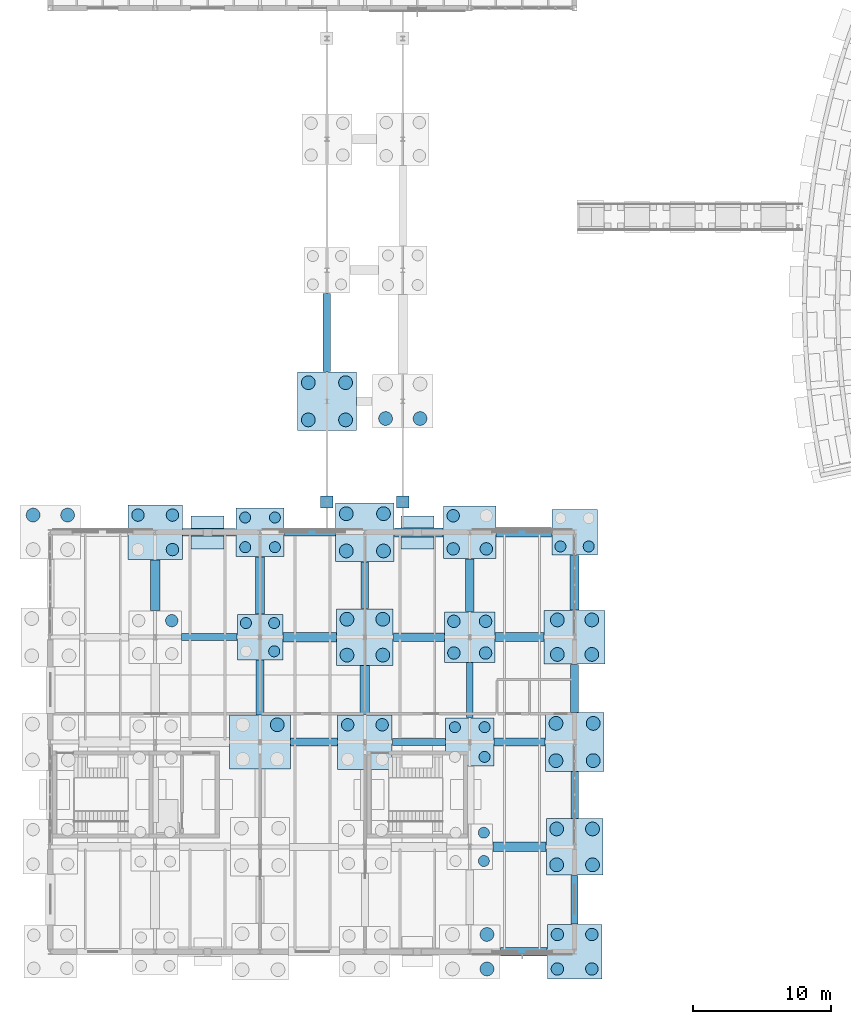
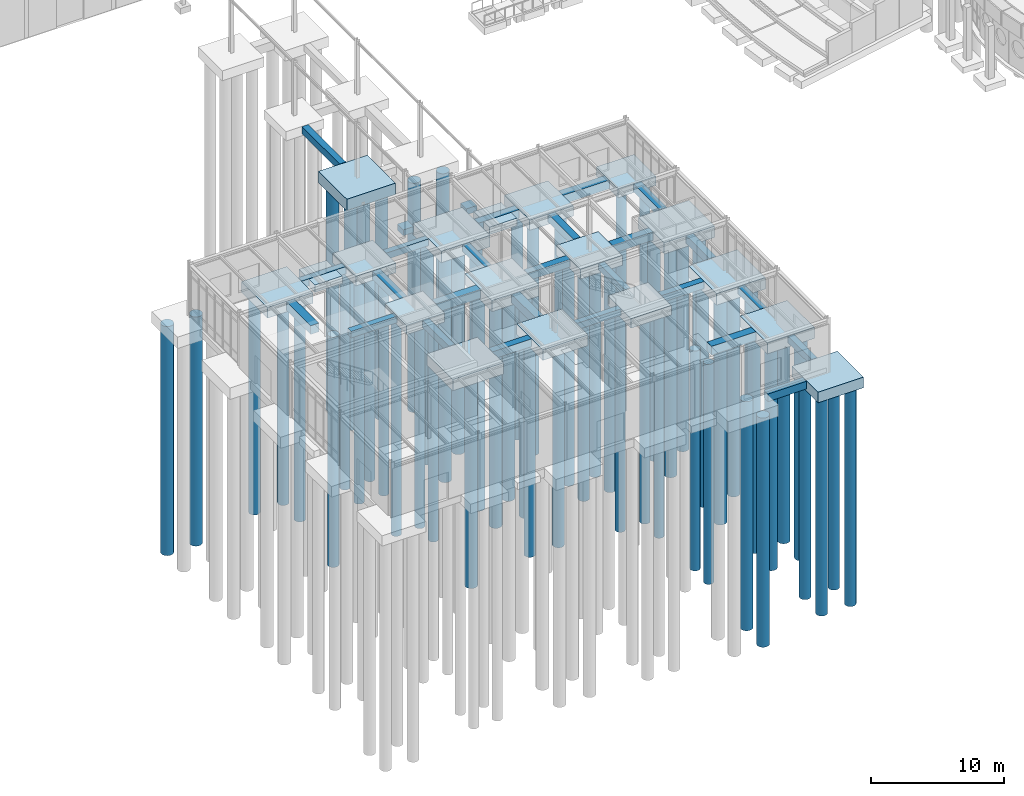
# One storey, part 2 of 109: 62 piles, 45 footings.
"""IFC4 building model written with IfcOpenShell, lengths in metres."""

from ifc_helpers import new_model, si_unit, direction, frame, origin, origin_2d, place, context, subcontext, project, spatial, rectangle, circle, extrude, material, material_profile, profile_set, type_object, element, save


model = new_model("IFC4")

# Units and contexts
model_context = context("Model", 3, precision=1e-05, world=origin(), true_north=direction((0.0, 1.0)))
body_context = subcontext(model_context, "Body", "Model", "MODEL_VIEW")
ifc_project = project(units=[si_unit("LENGTHUNIT", "METRE"), si_unit("AREAUNIT", "SQUARE_METRE"), si_unit("VOLUMEUNIT", "CUBIC_METRE"), si_unit("PLANEANGLEUNIT", "RADIAN"), si_unit("MASSUNIT", "GRAM", prefix="KILO")], contexts=[model_context])

# Site, building, storey
site_placement = place(None, origin())
site = spatial("IfcSite", under=ifc_project, at=site_placement, CompositionType="ELEMENT")
building_placement = place(site_placement, origin())
building = spatial("IfcBuilding", under=site, at=building_placement, Name="Montecoro Central Library", CompositionType="ELEMENT")
storey_placement = place(building_placement, origin())
storey = spatial("IfcBuildingStorey", under=building, at=storey_placement, Name="L00", CompositionType="ELEMENT", Elevation=0.0)

# Footings
ifc_material = material(Name="Concrete C35/45", Category="concrete")
footing_type_1 = type_object("IfcFootingType", Name="FT-PAD-180", PredefinedType="PAD_FOOTING", material=ifc_material)
for number, where, z_axis, x_axis, name in (
    (1, (25.050048828125, 37.60009765625, -0.5498046875), (0.0, 0.0, 1.0), (1.0, 0.0, 0.0), "BR-W-PAD-250-376"),
    (2, (30.550048828125, 37.60009765625, -0.5498046875), (0.0, 0.0, 1.0), (1.0, 0.0, 0.0), "BR-W-PAD-305-376"),
):
    element("IfcFooting", number, at=place(storey_placement, frame(where, z_axis=z_axis, x_axis=x_axis)), inside=storey, type_object=footing_type_1, Name=name, PredefinedType="PAD_FOOTING", context=body_context, shape_type="SweptSolid", body=[
        extrude(rectangle(XDim=0.89990234375, YDim=0.89990234375, at=origin_2d()), origin(), (0.0, 0.0, 1.0), 0.550048828125),
    ])
footing_type_2 = type_object("IfcFootingType", Name="FT-PAD-240", PredefinedType="PAD_FOOTING", material=ifc_material)
for number, where, z_axis, x_axis, name in (
    (3, (16.39990234375, 35.39990234375, -0.68017578125), (0.0, 0.0, 1.0), (1.0, 0.0, 0.0), "V3-PAD-PIL-N1"),
    (4, (31.60009765625, 35.39990234375, -0.68017578125), (0.0, 0.0, 1.0), (1.0, 0.0, 0.0), "V3-PAD-PIL-N3"),
):
    element("IfcFooting", number, at=place(storey_placement, frame(where, z_axis=z_axis, x_axis=x_axis)), inside=storey, type_object=footing_type_2, Name=name, PredefinedType="PAD_FOOTING", context=body_context, shape_type="SweptSolid", body=[
        extrude(rectangle(XDim=2.39990234375, YDim=2.39990234375, at=origin_2d()), origin(), (0.0, 0.0, 1.0), 0.679931640625),
    ])
footing_type_3 = type_object("IfcFootingType", Name="FT-PC-330", PredefinedType="PILE_CAP", material=ifc_material)
for number, where, z_axis, x_axis, name in (
    (5, (20.199951171875, 27.800048828125, -0.85009765625), (0.0, 0.0, 1.0), (1.0, 0.0, 0.0), "V3-CAP-3-D"),
    (6, (43.0, 35.39990234375, -0.85009765625), (0.0, 0.0, 1.0), (1.0, 0.0, 0.0), "V3-CAP-6-E"),
):
    element("IfcFooting", number, at=place(storey_placement, frame(where, z_axis=z_axis, x_axis=x_axis)), inside=storey, type_object=footing_type_3, Name=name, PredefinedType="PILE_CAP", context=body_context, shape_type="SweptSolid", body=[
        extrude(rectangle(XDim=3.300048828125, YDim=3.300048828125, at=origin_2d()), origin(), (0.0, 0.0, 1.0), 0.85009765625),
    ])
footing_type_4 = type_object("IfcFootingType", Name="FT-PC-350", PredefinedType="PILE_CAP", material=ifc_material)
for number, where, z_axis, x_axis, name in (
    (7, (20.199951171875, 35.39990234375, -0.8798828125), (0.0, 0.0, 1.0), (1.0, 0.0, 0.0), "V3-CAP-3-E"),
    (8, (35.39990234375, 20.199951171875, -0.8798828125), (0.0, 0.0, 1.0), (1.0, 0.0, 0.0), "V3-CAP-5-C"),
):
    element("IfcFooting", number, at=place(storey_placement, frame(where, z_axis=z_axis, x_axis=x_axis)), inside=storey, type_object=footing_type_4, Name=name, PredefinedType="PILE_CAP", context=body_context, shape_type="SweptSolid", body=[
        extrude(rectangle(XDim=3.5, YDim=3.5, at=origin_2d()), origin(), (0.0, 0.0, 1.0), 0.8798828125),
    ])
footing_type_5 = type_object("IfcFootingType", Name="FT-PC-365", PredefinedType="PILE_CAP", material=ifc_material)
footing_1_placement = place(storey_placement, frame((35.39990234375, 27.800048828125, -0.89990234375), z_axis=(0.0, 0.0, 1.0), x_axis=(1.0, 0.0, 0.0)))
element("IfcFooting", 9, at=footing_1_placement, inside=storey, type_object=footing_type_5, Name="V3-CAP-5-D", PredefinedType="PILE_CAP", context=body_context, shape_type="SweptSolid", body=[
    extrude(rectangle(XDim=3.64990234375, YDim=3.64990234375, at=origin_2d()), origin(), (0.0, 0.0, 1.0), 0.89990234375),
])
footing_type_6 = type_object("IfcFootingType", Name="FT-PC-380", PredefinedType="PILE_CAP", material=ifc_material)
footing_2_placement = place(storey_placement, frame((35.39990234375, 35.39990234375, -0.9501953125), z_axis=(0.0, 0.0, 1.0), x_axis=(1.0, 0.0, 0.0)))
element("IfcFooting", 10, at=footing_2_placement, inside=storey, type_object=footing_type_6, Name="V3-CAP-5-E", PredefinedType="PILE_CAP", context=body_context, shape_type="SweptSolid", body=[
    extrude(rectangle(XDim=3.800048828125, YDim=3.800048828125, at=origin_2d()), origin(), (0.0, 0.0, 1.0), 0.949951171875),
])
footing_type_7 = type_object("IfcFootingType", Name="FT-PC-395", PredefinedType="PILE_CAP", material=ifc_material)
for number, where, z_axis, x_axis, name in (
    (11, (12.60009765625, 35.39990234375, -0.97998046875), (0.0, 0.0, 1.0), (1.0, 0.0, 0.0), "V3-CAP-2-E"),
    (12, (27.800048828125, 20.199951171875, -0.97998046875), (0.0, 0.0, 1.0), (1.0, 0.0, 0.0), "V3-CAP-4-C"),
    (13, (43.0, 5.0, -0.97998046875), (0.0, 0.0, 1.0), (1.0, 0.0, 0.0), "V3-CAP-6-A"),
):
    element("IfcFooting", number, at=place(storey_placement, frame(where, z_axis=z_axis, x_axis=x_axis)), inside=storey, type_object=footing_type_7, Name=name, PredefinedType="PILE_CAP", context=body_context, shape_type="SweptSolid", body=[
        extrude(rectangle(XDim=3.949951171875, YDim=3.949951171875, at=origin_2d()), origin(), (0.0, 0.0, 1.0), 0.97998046875),
    ])
footing_type_8 = type_object("IfcFootingType", Name="FT-PC-410", PredefinedType="PILE_CAP", material=ifc_material)
for number, where, z_axis, x_axis, name in (
    (14, (27.800048828125, 27.800048828125, -1.02001953125), (0.0, 0.0, 1.0), (1.0, 0.0, 0.0), "V3-CAP-4-D"),
    (15, (43.0, 12.60009765625, -1.02001953125), (0.0, 0.0, 1.0), (1.0, 0.0, 0.0), "V3-CAP-6-B"),
):
    element("IfcFooting", number, at=place(storey_placement, frame(where, z_axis=z_axis, x_axis=x_axis)), inside=storey, type_object=footing_type_8, Name=name, PredefinedType="PILE_CAP", context=body_context, shape_type="SweptSolid", body=[
        extrude(rectangle(XDim=4.10009765625, YDim=4.10009765625, at=origin_2d()), origin(), (0.0, 0.0, 1.0), 1.02001953125),
    ])
footing_type_9 = type_object("IfcFootingType", Name="FT-PC-425", PredefinedType="PILE_CAP", material=ifc_material)
for number, where, z_axis, x_axis, name in (
    (16, (27.800048828125, 35.39990234375, -1.06005859375), (0.0, 0.0, 1.0), (1.0, 0.0, 0.0), "V3-CAP-4-E"),
    (17, (43.0, 20.199951171875, -1.06005859375), (0.0, 0.0, 1.0), (1.0, 0.0, 0.0), "V3-CAP-6-C"),
    (18, (25.050048828125, 44.89990234375, -1.06005859375), (0.0, 0.0, 1.0), (1.0, 0.0, 0.0), "BR-W-CAP-250-449"),
):
    element("IfcFooting", number, at=place(storey_placement, frame(where, z_axis=z_axis, x_axis=x_axis)), inside=storey, type_object=footing_type_9, Name=name, PredefinedType="PILE_CAP", context=body_context, shape_type="SweptSolid", body=[
        extrude(rectangle(XDim=4.25, YDim=4.25, at=origin_2d()), origin(), (0.0, 0.0, 1.0), 1.06005859375),
    ])
footing_type_10 = type_object("IfcFootingType", Name="FT-PC-440", PredefinedType="PILE_CAP", material=ifc_material)
for number, where, z_axis, x_axis, name in (
    (19, (20.199951171875, 20.199951171875, -1.0498046875), (0.0, 0.0, 1.0), (1.0, 0.0, 0.0), "V3-CAP-3-C"),
    (20, (43.0, 27.800048828125, -1.0498046875), (0.0, 0.0, 1.0), (1.0, 0.0, 0.0), "V3-CAP-6-D"),
):
    element("IfcFooting", number, at=place(storey_placement, frame(where, z_axis=z_axis, x_axis=x_axis)), inside=storey, type_object=footing_type_10, Name=name, PredefinedType="PILE_CAP", context=body_context, shape_type="SweptSolid", body=[
        extrude(rectangle(XDim=4.39990234375, YDim=3.89990234375, at=origin_2d()), origin(), (0.0, 0.0, 1.0), 1.050048828125),
    ])
footing_type_11 = type_object("IfcFootingType", Name="FT-TB-01", PredefinedType="FOOTING_BEAM", material=ifc_material)
footing_3_placement = place(storey_placement, frame((16.52490234375, 27.800048828125, -0.60009765625), z_axis=(0.0, 0.0, 1.0), x_axis=(1.0, 0.0, 0.0)))
element("IfcFooting", 21, at=footing_3_placement, inside=storey, type_object=footing_type_11, Name="FT-TBX-245", PredefinedType="FOOTING_BEAM", context=body_context, shape_type="SweptSolid", body=[
    extrude(rectangle(XDim=4.010009765625, YDim=0.5, at=origin_2d()), origin(), (0.0, 0.0, 1.0), 0.60009765625),
])
footing_4_placement = place(storey_placement, frame((23.81201171875, 35.39990234375, -0.60009765625), z_axis=(0.0, 0.0, 1.0), x_axis=(1.0, 0.0, 0.0)))
element("IfcFooting", 22, at=footing_4_placement, inside=storey, type_object=footing_type_11, Name="FT-TBX-255", PredefinedType="FOOTING_BEAM", context=body_context, shape_type="SweptSolid", body=[
    extrude(rectangle(XDim=3.68505859375, YDim=0.5, at=origin_2d()), origin(), (0.0, 0.0, 1.0), 0.60009765625),
])
footing_5_placement = place(storey_placement, frame((31.712890625, 20.199951171875, -0.60009765625), z_axis=(0.0, 0.0, 1.0), x_axis=(1.0, 0.0, 0.0)))
element("IfcFooting", 23, at=footing_5_placement, inside=storey, type_object=footing_type_11, Name="FT-TBX-265", PredefinedType="FOOTING_BEAM", context=body_context, shape_type="SweptSolid", body=[
    extrude(rectangle(XDim=3.8349609375, YDim=0.5, at=origin_2d()), origin(), (0.0, 0.0, 1.0), 0.60009765625),
])
footing_6_placement = place(storey_placement, frame((35.39990234375, 23.9619140625, -0.60009765625), z_axis=(0.0, 0.0, 1.0), x_axis=(1.0, 0.0, 0.0)))
element("IfcFooting", 24, at=footing_6_placement, inside=storey, type_object=footing_type_11, Name="FT-TBY-275", PredefinedType="FOOTING_BEAM", context=body_context, shape_type="SweptSolid", body=[
    extrude(rectangle(XDim=0.5, YDim=3.985107421875, at=origin_2d()), origin(), (0.0, 0.0, 1.0), 0.60009765625),
])
footing_7_placement = place(storey_placement, frame((43.0, 8.761962890625, -0.60009765625), z_axis=(0.0, 0.0, 1.0), x_axis=(1.0, 0.0, 0.0)))
element("IfcFooting", 25, at=footing_7_placement, inside=storey, type_object=footing_type_11, Name="FT-TBY-280", PredefinedType="FOOTING_BEAM", context=body_context, shape_type="SweptSolid", body=[
    extrude(rectangle(XDim=0.5, YDim=3.534912109375, at=origin_2d()), origin(), (0.0, 0.0, 1.0), 0.60009765625),
])
footing_type_12 = type_object("IfcFootingType", Name="FT-TB-02", PredefinedType="FOOTING_BEAM", material=ifc_material)
footing_8_placement = place(storey_placement, frame((16.511962890625, 35.39990234375, -0.64990234375), z_axis=(0.0, 0.0, 1.0), x_axis=(1.0, 0.0, 0.0)))
element("IfcFooting", 26, at=footing_8_placement, inside=storey, type_object=footing_type_12, Name="FT-TBX-246", PredefinedType="FOOTING_BEAM", context=body_context, shape_type="SweptSolid", body=[
    extrude(rectangle(XDim=3.8349609375, YDim=0.550048828125, at=origin_2d()), origin(), (0.0, 0.0, 1.0), 0.64990234375),
])
footing_9_placement = place(storey_placement, frame((20.199951171875, 24.14990234375, -0.64990234375), z_axis=(0.0, 0.0, 1.0), x_axis=(1.0, 0.0, 0.0)))
element("IfcFooting", 27, at=footing_9_placement, inside=storey, type_object=footing_type_12, Name="FT-TBY-251", PredefinedType="FOOTING_BEAM", context=body_context, shape_type="SweptSolid", body=[
    extrude(rectangle(XDim=0.550048828125, YDim=3.9599609375, at=origin_2d()), origin(), (0.0, 0.0, 1.0), 0.64990234375),
])
footing_10_placement = place(storey_placement, frame((25.050048828125, 49.887939453125, -0.64990234375), z_axis=(0.0, 0.0, 1.0), x_axis=(1.0, 0.0, 0.0)))
element("IfcFooting", 28, at=footing_10_placement, inside=storey, type_object=footing_type_12, Name="FT-TBY-256", PredefinedType="FOOTING_BEAM", context=body_context, shape_type="SweptSolid", body=[
    extrude(rectangle(XDim=0.550048828125, YDim=5.68505859375, at=origin_2d()), origin(), (0.0, 0.0, 1.0), 0.64990234375),
])
footing_11_placement = place(storey_placement, frame((27.800048828125, 31.56201171875, -0.64990234375), z_axis=(0.0, 0.0, 1.0), x_axis=(1.0, 0.0, 0.0)))
element("IfcFooting", 29, at=footing_11_placement, inside=storey, type_object=footing_type_12, Name="FT-TBY-266", PredefinedType="FOOTING_BEAM", context=body_context, shape_type="SweptSolid", body=[
    extrude(rectangle(XDim=0.550048828125, YDim=3.385009765625, at=origin_2d()), origin(), (0.0, 0.0, 1.0), 0.64990234375),
])
footing_12_placement = place(storey_placement, frame((39.012939453125, 20.199951171875, -0.64990234375), z_axis=(0.0, 0.0, 1.0), x_axis=(1.0, 0.0, 0.0)))
element("IfcFooting", 30, at=footing_12_placement, inside=storey, type_object=footing_type_12, Name="FT-TBX-276", PredefinedType="FOOTING_BEAM", context=body_context, shape_type="SweptSolid", body=[
    extrude(rectangle(XDim=3.68505859375, YDim=0.550048828125, at=origin_2d()), origin(), (0.0, 0.0, 1.0), 0.64990234375),
])
footing_13_placement = place(storey_placement, frame((43.0, 16.363037109375, -0.64990234375), z_axis=(0.0, 0.0, 1.0), x_axis=(1.0, 0.0, 0.0)))
element("IfcFooting", 31, at=footing_13_placement, inside=storey, type_object=footing_type_12, Name="FT-TBY-281", PredefinedType="FOOTING_BEAM", context=body_context, shape_type="SweptSolid", body=[
    extrude(rectangle(XDim=0.550048828125, YDim=3.385009765625, at=origin_2d()), origin(), (0.0, 0.0, 1.0), 0.64990234375),
])
footing_type_13 = type_object("IfcFootingType", Name="FT-TB-03", PredefinedType="FOOTING_BEAM", material=ifc_material)
footing_14_placement = place(storey_placement, frame((24.113037109375, 20.199951171875, -0.7001953125), z_axis=(0.0, 0.0, 1.0), x_axis=(1.0, 0.0, 0.0)))
element("IfcFooting", 32, at=footing_14_placement, inside=storey, type_object=footing_type_13, Name="FT-TBX-252", PredefinedType="FOOTING_BEAM", context=body_context, shape_type="SweptSolid", body=[
    extrude(rectangle(XDim=3.385009765625, YDim=0.60009765625, at=origin_2d()), origin(), (0.0, 0.0, 1.0), 0.699951171875),
])
footing_15_placement = place(storey_placement, frame((31.7119140625, 27.800048828125, -0.7001953125), z_axis=(0.0, 0.0, 1.0), x_axis=(1.0, 0.0, 0.0)))
element("IfcFooting", 33, at=footing_15_placement, inside=storey, type_object=footing_type_13, Name="FT-TBX-267", PredefinedType="FOOTING_BEAM", context=body_context, shape_type="SweptSolid", body=[
    extrude(rectangle(XDim=3.68505859375, YDim=0.60009765625, at=origin_2d()), origin(), (0.0, 0.0, 1.0), 0.699951171875),
])
footing_16_placement = place(storey_placement, frame((39.31201171875, 5.0, -0.7001953125), z_axis=(0.0, 0.0, 1.0), x_axis=(1.0, 0.0, 0.0)))
element("IfcFooting", 34, at=footing_16_placement, inside=storey, type_object=footing_type_13, Name="FT-TBX-272", PredefinedType="FOOTING_BEAM", context=body_context, shape_type="SweptSolid", body=[
    extrude(rectangle(XDim=3.385009765625, YDim=0.60009765625, at=origin_2d()), origin(), (0.0, 0.0, 1.0), 0.699951171875),
])
footing_17_placement = place(storey_placement, frame((35.39990234375, 31.56201171875, -0.7001953125), z_axis=(0.0, 0.0, 1.0), x_axis=(1.0, 0.0, 0.0)))
element("IfcFooting", 35, at=footing_17_placement, inside=storey, type_object=footing_type_13, Name="FT-TBY-277", PredefinedType="FOOTING_BEAM", context=body_context, shape_type="SweptSolid", body=[
    extrude(rectangle(XDim=0.60009765625, YDim=3.8349609375, at=origin_2d()), origin(), (0.0, 0.0, 1.0), 0.699951171875),
])
footing_18_placement = place(storey_placement, frame((43.0, 24.0869140625, -0.7001953125), z_axis=(0.0, 0.0, 1.0), x_axis=(1.0, 0.0, 0.0)))
element("IfcFooting", 36, at=footing_18_placement, inside=storey, type_object=footing_type_13, Name="FT-TBY-282", PredefinedType="FOOTING_BEAM", context=body_context, shape_type="SweptSolid", body=[
    extrude(rectangle(XDim=0.60009765625, YDim=3.485107421875, at=origin_2d()), origin(), (0.0, 0.0, 1.0), 0.699951171875),
])
footing_type_14 = type_object("IfcFootingType", Name="FT-TB-04", PredefinedType="FOOTING_BEAM", material=ifc_material)
footing_19_placement = place(storey_placement, frame((20.199951171875, 31.550048828125, -0.75), z_axis=(0.0, 0.0, 1.0), x_axis=(1.0, 0.0, 0.0)))
element("IfcFooting", 37, at=footing_19_placement, inside=storey, type_object=footing_type_14, Name="FT-TBY-253", PredefinedType="FOOTING_BEAM", context=body_context, shape_type="SweptSolid", body=[
    extrude(rectangle(XDim=0.64990234375, YDim=4.159912109375, at=origin_2d()), origin(), (0.0, 0.0, 1.0), 0.75),
])
for number, where, z_axis, x_axis, name in (
    (38, (31.7119140625, 35.39990234375, -0.75), (0.0, 0.0, 1.0), (1.0, 0.0, 0.0), "FT-TBX-268"),
    (39, (39.012939453125, 27.800048828125, -0.75), (0.0, 0.0, 1.0), (1.0, 0.0, 0.0), "FT-TBX-278"),
):
    element("IfcFooting", number, at=place(storey_placement, frame(where, z_axis=z_axis, x_axis=x_axis)), inside=storey, type_object=footing_type_14, Name=name, PredefinedType="FOOTING_BEAM", context=body_context, shape_type="SweptSolid", body=[
        extrude(rectangle(XDim=3.534912109375, YDim=0.64990234375, at=origin_2d()), origin(), (0.0, 0.0, 1.0), 0.75),
    ])
footing_20_placement = place(storey_placement, frame((43.0, 31.75, -0.75), z_axis=(0.0, 0.0, 1.0), x_axis=(1.0, 0.0, 0.0)))
element("IfcFooting", 40, at=footing_20_placement, inside=storey, type_object=footing_type_14, Name="FT-TBY-283", PredefinedType="FOOTING_BEAM", context=body_context, shape_type="SweptSolid", body=[
    extrude(rectangle(XDim=0.64990234375, YDim=3.9599609375, at=origin_2d()), origin(), (0.0, 0.0, 1.0), 0.75),
])
footing_type_15 = type_object("IfcFootingType", Name="FT-TB-05", PredefinedType="FOOTING_BEAM", material=ifc_material)
footing_21_placement = place(storey_placement, frame((12.60009765625, 31.56201171875, -0.7998046875), z_axis=(0.0, 0.0, 1.0), x_axis=(1.0, 0.0, 0.0)))
element("IfcFooting", 41, at=footing_21_placement, inside=storey, type_object=footing_type_15, Name="FT-TBY-244", PredefinedType="FOOTING_BEAM", context=body_context, shape_type="SweptSolid", body=[
    extrude(rectangle(XDim=0.699951171875, YDim=3.68505859375, at=origin_2d()), origin(), (0.0, 0.0, 1.0), 0.800048828125),
])
footing_22_placement = place(storey_placement, frame((23.800048828125, 27.800048828125, -0.7998046875), z_axis=(0.0, 0.0, 1.0), x_axis=(1.0, 0.0, 0.0)))
element("IfcFooting", 42, at=footing_22_placement, inside=storey, type_object=footing_type_15, Name="FT-TBX-254", PredefinedType="FOOTING_BEAM", context=body_context, shape_type="SweptSolid", body=[
    extrude(rectangle(XDim=3.860107421875, YDim=0.699951171875, at=origin_2d()), origin(), (0.0, 0.0, 1.0), 0.800048828125),
])
footing_23_placement = place(storey_placement, frame((27.800048828125, 23.9619140625, -0.7998046875), z_axis=(0.0, 0.0, 1.0), x_axis=(1.0, 0.0, 0.0)))
element("IfcFooting", 43, at=footing_23_placement, inside=storey, type_object=footing_type_15, Name="FT-TBY-264", PredefinedType="FOOTING_BEAM", context=body_context, shape_type="SweptSolid", body=[
    extrude(rectangle(XDim=0.699951171875, YDim=3.534912109375, at=origin_2d()), origin(), (0.0, 0.0, 1.0), 0.800048828125),
])
footing_24_placement = place(storey_placement, frame((39.0, 12.60009765625, -0.7998046875), z_axis=(0.0, 0.0, 1.0), x_axis=(1.0, 0.0, 0.0)))
element("IfcFooting", 44, at=footing_24_placement, inside=storey, type_object=footing_type_15, Name="FT-TBX-274", PredefinedType="FOOTING_BEAM", context=body_context, shape_type="SweptSolid", body=[
    extrude(rectangle(XDim=3.860107421875, YDim=0.699951171875, at=origin_2d()), origin(), (0.0, 0.0, 1.0), 0.800048828125),
])
footing_25_placement = place(storey_placement, frame((39.324951171875, 35.39990234375, -0.7998046875), z_axis=(0.0, 0.0, 1.0), x_axis=(1.0, 0.0, 0.0)))
element("IfcFooting", 45, at=footing_25_placement, inside=storey, type_object=footing_type_15, Name="FT-TBX-279", PredefinedType="FOOTING_BEAM", context=body_context, shape_type="SweptSolid", body=[
    extrude(rectangle(XDim=4.010009765625, YDim=0.699951171875, at=origin_2d()), origin(), (0.0, 0.0, 1.0), 0.800048828125),
])

# Piles
ifc_material_profile_1 = material_profile(ifc_material, circle(Radius=0.5, at=origin_2d()), Name="PILE D1000")
ifc_profile_set_1 = profile_set([ifc_material_profile_1], Name="Concrete C35/45")
pile_type_1 = type_object("IfcPileType", Name="PL-BORED-1000", PredefinedType="BORED", material=ifc_profile_set_1)
for number, where, z_axis, x_axis, name in (
    (46, (3.75, 36.64990234375, -0.949951171875), (0.0, 0.0, -1.0), (1.0, 0.0, 0.0), "V3-CAP-1-E-P2"),
    (47, (6.25, 36.64990234375, -0.949951171875), (0.0, 0.0, -1.0), (1.0, 0.0, 0.0), "V3-CAP-1-E-P4"),
    (48, (21.449951171875, 21.449951171875, -0.949951171875), (0.0, 0.0, -1.0), (1.0, 0.0, 0.0), "V3-CAP-3-C-P4"),
):
    element("IfcPile", number, at=place(storey_placement, frame(where, z_axis=z_axis, x_axis=x_axis)), inside=storey, type_object=pile_type_1, Name=name, PredefinedType="BORED", context=body_context, shape_type="SweptSolid", body=[
        extrude(circle(Radius=0.5, at=origin_2d()), origin(), (0.0, 0.0, 1.0), 21.10009765625),
    ])
for number, where, z_axis, x_axis, name in (
    (49, (26.5, 26.5, -0.919921875), (0.0, 0.0, -1.0), (1.0, 0.0, 0.0), "V3-CAP-4-D-P1"),
    (50, (26.5, 29.10009765625, -0.919921875), (0.0, 0.0, -1.0), (1.0, 0.0, 0.0), "V3-CAP-4-D-P2"),
    (51, (29.10009765625, 26.5, -0.919921875), (0.0, 0.0, -1.0), (1.0, 0.0, 0.0), "V3-CAP-4-D-P3"),
    (52, (29.10009765625, 29.10009765625, -0.919921875), (0.0, 0.0, -1.0), (1.0, 0.0, 0.0), "V3-CAP-4-D-P4"),
):
    element("IfcPile", number, at=place(storey_placement, frame(where, z_axis=z_axis, x_axis=x_axis)), inside=storey, type_object=pile_type_1, Name=name, PredefinedType="BORED", context=body_context, shape_type="SweptSolid", body=[
        extrude(circle(Radius=0.5, at=origin_2d()), origin(), (0.0, 0.0, 1.0), 20.429931640625),
    ])
for number, where, z_axis, x_axis, name in (
    (53, (26.449951171875, 34.050048828125, -0.9599609375), (0.0, 0.0, -1.0), (1.0, 0.0, 0.0), "V3-CAP-4-E-P1"),
    (54, (26.449951171875, 36.75, -0.9599609375), (0.0, 0.0, -1.0), (1.0, 0.0, 0.0), "V3-CAP-4-E-P2"),
    (55, (29.14990234375, 34.050048828125, -0.9599609375), (0.0, 0.0, -1.0), (1.0, 0.0, 0.0), "V3-CAP-4-E-P3"),
    (56, (29.14990234375, 36.75, -0.9599609375), (0.0, 0.0, -1.0), (1.0, 0.0, 0.0), "V3-CAP-4-E-P4"),
):
    element("IfcPile", number, at=place(storey_placement, frame(where, z_axis=z_axis, x_axis=x_axis)), inside=storey, type_object=pile_type_1, Name=name, PredefinedType="BORED", context=body_context, shape_type="SweptSolid", body=[
        extrude(circle(Radius=0.5, at=origin_2d()), origin(), (0.0, 0.0, 1.0), 20.739990234375),
    ])
for number, where, z_axis, x_axis, name in (
    (57, (36.64990234375, 3.75, -0.949951171875), (0.0, 0.0, -1.0), (1.0, 0.0, 0.0), "V3-CAP-5-A-P3"),
    (58, (36.64990234375, 6.25, -0.949951171875), (0.0, 0.0, -1.0), (1.0, 0.0, 0.0), "V3-CAP-5-A-P4"),
):
    element("IfcPile", number, at=place(storey_placement, frame(where, z_axis=z_axis, x_axis=x_axis)), inside=storey, type_object=pile_type_1, Name=name, PredefinedType="BORED", context=body_context, shape_type="SweptSolid", body=[
        extrude(circle(Radius=0.5, at=origin_2d()), origin(), (0.0, 0.0, 1.0), 21.10009765625),
    ])
for number, where, z_axis, x_axis, name in (
    (59, (41.699951171875, 11.300048828125, -0.919921875), (0.0, 0.0, -1.0), (1.0, 0.0, 0.0), "V3-CAP-6-B-P1"),
    (60, (41.699951171875, 13.89990234375, -0.919921875), (0.0, 0.0, -1.0), (1.0, 0.0, 0.0), "V3-CAP-6-B-P2"),
    (61, (44.300048828125, 11.300048828125, -0.919921875), (0.0, 0.0, -1.0), (1.0, 0.0, 0.0), "V3-CAP-6-B-P3"),
    (62, (44.300048828125, 13.89990234375, -0.919921875), (0.0, 0.0, -1.0), (1.0, 0.0, 0.0), "V3-CAP-6-B-P4"),
):
    element("IfcPile", number, at=place(storey_placement, frame(where, z_axis=z_axis, x_axis=x_axis)), inside=storey, type_object=pile_type_1, Name=name, PredefinedType="BORED", context=body_context, shape_type="SweptSolid", body=[
        extrude(circle(Radius=0.5, at=origin_2d()), origin(), (0.0, 0.0, 1.0), 20.429931640625),
    ])
for number, where, z_axis, x_axis, name in (
    (63, (41.64990234375, 18.85009765625, -0.9599609375), (0.0, 0.0, -1.0), (1.0, 0.0, 0.0), "V3-CAP-6-C-P1"),
    (64, (41.64990234375, 21.550048828125, -0.9599609375), (0.0, 0.0, -1.0), (1.0, 0.0, 0.0), "V3-CAP-6-C-P2"),
    (65, (44.35009765625, 18.85009765625, -0.9599609375), (0.0, 0.0, -1.0), (1.0, 0.0, 0.0), "V3-CAP-6-C-P3"),
    (66, (44.35009765625, 21.550048828125, -0.9599609375), (0.0, 0.0, -1.0), (1.0, 0.0, 0.0), "V3-CAP-6-C-P4"),
):
    element("IfcPile", number, at=place(storey_placement, frame(where, z_axis=z_axis, x_axis=x_axis)), inside=storey, type_object=pile_type_1, Name=name, PredefinedType="BORED", context=body_context, shape_type="SweptSolid", body=[
        extrude(circle(Radius=0.5, at=origin_2d()), origin(), (0.0, 0.0, 1.0), 20.739990234375),
    ])
for number, where, z_axis, x_axis, name in (
    (67, (41.75, 26.550048828125, -0.949951171875), (0.0, 0.0, -1.0), (1.0, 0.0, 0.0), "V3-CAP-6-D-P1"),
    (68, (41.75, 29.050048828125, -0.949951171875), (0.0, 0.0, -1.0), (1.0, 0.0, 0.0), "V3-CAP-6-D-P2"),
    (69, (44.25, 26.550048828125, -0.949951171875), (0.0, 0.0, -1.0), (1.0, 0.0, 0.0), "V3-CAP-6-D-P3"),
    (70, (44.25, 29.050048828125, -0.949951171875), (0.0, 0.0, -1.0), (1.0, 0.0, 0.0), "V3-CAP-6-D-P4"),
):
    element("IfcPile", number, at=place(storey_placement, frame(where, z_axis=z_axis, x_axis=x_axis)), inside=storey, type_object=pile_type_1, Name=name, PredefinedType="BORED", context=body_context, shape_type="SweptSolid", body=[
        extrude(circle(Radius=0.5, at=origin_2d()), origin(), (0.0, 0.0, 1.0), 21.10009765625),
    ])
for number, where, z_axis, x_axis, name in (
    (71, (23.699951171875, 43.550048828125, -0.9599609375), (0.0, 0.0, -1.0), (1.0, 0.0, 0.0), "BR-W-CAP-250-449-P1"),
    (72, (23.699951171875, 46.25, -0.9599609375), (0.0, 0.0, -1.0), (1.0, 0.0, 0.0), "BR-W-CAP-250-449-P2"),
    (73, (26.39990234375, 43.550048828125, -0.9599609375), (0.0, 0.0, -1.0), (1.0, 0.0, 0.0), "BR-W-CAP-250-449-P3"),
    (74, (26.39990234375, 46.25, -0.9599609375), (0.0, 0.0, -1.0), (1.0, 0.0, 0.0), "BR-W-CAP-250-449-P4"),
):
    element("IfcPile", number, at=place(storey_placement, frame(where, z_axis=z_axis, x_axis=x_axis)), inside=storey, type_object=pile_type_1, Name=name, PredefinedType="BORED", context=body_context, shape_type="SweptSolid", body=[
        extrude(circle(Radius=0.5, at=origin_2d()), origin(), (0.0, 0.0, 1.0), 20.739990234375),
    ])
for number, where, z_axis, x_axis, name in (
    (75, (29.300048828125, 43.64990234375, -0.949951171875), (0.0, 0.0, -1.0), (1.0, 0.0, 0.0), "BR-W-CAP-305-449-P1"),
    (76, (31.800048828125, 43.64990234375, -0.949951171875), (0.0, 0.0, -1.0), (1.0, 0.0, 0.0), "BR-W-CAP-305-449-P3"),
):
    element("IfcPile", number, at=place(storey_placement, frame(where, z_axis=z_axis, x_axis=x_axis)), inside=storey, type_object=pile_type_1, Name=name, PredefinedType="BORED", context=body_context, shape_type="SweptSolid", body=[
        extrude(circle(Radius=0.5, at=origin_2d()), origin(), (0.0, 0.0, 1.0), 21.10009765625),
    ])
ifc_material_profile_2 = material_profile(ifc_material, circle(Radius=0.39990234375, at=origin_2d()), Name="PILE D800")
ifc_profile_set_2 = profile_set([ifc_material_profile_2], Name="Concrete C35/45")
pile_type_2 = type_object("IfcPileType", Name="PL-BORED-800", PredefinedType="BORED", material=ifc_profile_set_2)
for number, where, z_axis, x_axis, name in (
    (77, (19.175048828125, 28.824951171875, -0.75), (0.0, 0.0, -1.0), (1.0, 0.0, 0.0), "V3-CAP-3-D-P2"),
    (78, (21.22509765625, 26.77490234375, -0.75), (0.0, 0.0, -1.0), (1.0, 0.0, 0.0), "V3-CAP-3-D-P3"),
    (79, (21.22509765625, 28.824951171875, -0.75), (0.0, 0.0, -1.0), (1.0, 0.0, 0.0), "V3-CAP-3-D-P4"),
):
    element("IfcPile", number, at=place(storey_placement, frame(where, z_axis=z_axis, x_axis=x_axis)), inside=storey, type_object=pile_type_2, Name=name, PredefinedType="BORED", context=body_context, shape_type="SweptSolid", body=[
        extrude(circle(Radius=0.39990234375, at=origin_2d()), origin(), (0.0, 0.0, 1.0), 20.25),
    ])
for number, where, z_axis, x_axis, name in (
    (80, (19.125, 34.324951171875, -0.780029296875), (0.0, 0.0, -1.0), (1.0, 0.0, 0.0), "V3-CAP-3-E-P1"),
    (81, (19.125, 36.47509765625, -0.780029296875), (0.0, 0.0, -1.0), (1.0, 0.0, 0.0), "V3-CAP-3-E-P2"),
    (82, (21.27490234375, 34.324951171875, -0.780029296875), (0.0, 0.0, -1.0), (1.0, 0.0, 0.0), "V3-CAP-3-E-P3"),
    (83, (21.27490234375, 36.47509765625, -0.780029296875), (0.0, 0.0, -1.0), (1.0, 0.0, 0.0), "V3-CAP-3-E-P4"),
):
    element("IfcPile", number, at=place(storey_placement, frame(where, z_axis=z_axis, x_axis=x_axis)), inside=storey, type_object=pile_type_2, Name=name, PredefinedType="BORED", context=body_context, shape_type="SweptSolid", body=[
        extrude(circle(Radius=0.39990234375, at=origin_2d()), origin(), (0.0, 0.0, 1.0), 20.570068359375),
    ])
for number, where, z_axis, x_axis, name in (
    (84, (36.425048828125, 11.574951171875, -0.75), (0.0, 0.0, -1.0), (1.0, 0.0, 0.0), "V3-CAP-5-B-P3"),
    (85, (36.425048828125, 13.625, -0.75), (0.0, 0.0, -1.0), (1.0, 0.0, 0.0), "V3-CAP-5-B-P4"),
):
    element("IfcPile", number, at=place(storey_placement, frame(where, z_axis=z_axis, x_axis=x_axis)), inside=storey, type_object=pile_type_2, Name=name, PredefinedType="BORED", context=body_context, shape_type="SweptSolid", body=[
        extrude(circle(Radius=0.39990234375, at=origin_2d()), origin(), (0.0, 0.0, 1.0), 20.25),
    ])
for number, where, z_axis, x_axis, name in (
    (86, (34.324951171875, 21.27490234375, -0.780029296875), (0.0, 0.0, -1.0), (1.0, 0.0, 0.0), "V3-CAP-5-C-P2"),
    (87, (36.47509765625, 19.125, -0.780029296875), (0.0, 0.0, -1.0), (1.0, 0.0, 0.0), "V3-CAP-5-C-P3"),
    (88, (36.47509765625, 21.27490234375, -0.780029296875), (0.0, 0.0, -1.0), (1.0, 0.0, 0.0), "V3-CAP-5-C-P4"),
):
    element("IfcPile", number, at=place(storey_placement, frame(where, z_axis=z_axis, x_axis=x_axis)), inside=storey, type_object=pile_type_2, Name=name, PredefinedType="BORED", context=body_context, shape_type="SweptSolid", body=[
        extrude(circle(Radius=0.39990234375, at=origin_2d()), origin(), (0.0, 0.0, 1.0), 20.570068359375),
    ])
for number, where, z_axis, x_axis, name in (
    (89, (41.97509765625, 34.375, -0.75), (0.0, 0.0, -1.0), (1.0, 0.0, 0.0), "V3-CAP-6-E-P1"),
    (90, (44.02490234375, 34.375, -0.75), (0.0, 0.0, -1.0), (1.0, 0.0, 0.0), "V3-CAP-6-E-P3"),
):
    element("IfcPile", number, at=place(storey_placement, frame(where, z_axis=z_axis, x_axis=x_axis)), inside=storey, type_object=pile_type_2, Name=name, PredefinedType="BORED", context=body_context, shape_type="SweptSolid", body=[
        extrude(circle(Radius=0.39990234375, at=origin_2d()), origin(), (0.0, 0.0, 1.0), 20.25),
    ])
ifc_material_profile_3 = material_profile(ifc_material, circle(Radius=0.449951171875, at=origin_2d()), Name="PILE D900")
ifc_profile_set_3 = profile_set([ifc_material_profile_3], Name="Concrete C35/45")
pile_type_3 = type_object("IfcPileType", Name="PL-BORED-900", PredefinedType="BORED", material=ifc_profile_set_3)
pile_placement = place(storey_placement, frame((13.800048828125, 29.0, -0.85009765625), z_axis=(0.0, 0.0, -1.0), x_axis=(1.0, 0.0, 0.0)))
element("IfcPile", 91, at=pile_placement, inside=storey, type_object=pile_type_3, Name="V3-CAP-2-D-P4", PredefinedType="BORED", context=body_context, shape_type="SweptSolid", body=[
    extrude(circle(Radius=0.449951171875, at=origin_2d()), origin(), (0.0, 0.0, 1.0), 21.199951171875),
])
for number, where, z_axis, x_axis, name in (
    (92, (11.35009765625, 36.64990234375, -0.8798828125), (0.0, 0.0, -1.0), (1.0, 0.0, 0.0), "V3-CAP-2-E-P2"),
    (93, (13.85009765625, 34.14990234375, -0.8798828125), (0.0, 0.0, -1.0), (1.0, 0.0, 0.0), "V3-CAP-2-E-P3"),
    (94, (13.85009765625, 36.64990234375, -0.8798828125), (0.0, 0.0, -1.0), (1.0, 0.0, 0.0), "V3-CAP-2-E-P4"),
    (95, (26.550048828125, 21.449951171875, -0.8798828125), (0.0, 0.0, -1.0), (1.0, 0.0, 0.0), "V3-CAP-4-C-P2"),
    (96, (29.050048828125, 21.449951171875, -0.8798828125), (0.0, 0.0, -1.0), (1.0, 0.0, 0.0), "V3-CAP-4-C-P4"),
):
    element("IfcPile", number, at=place(storey_placement, frame(where, z_axis=z_axis, x_axis=x_axis)), inside=storey, type_object=pile_type_3, Name=name, PredefinedType="BORED", context=body_context, shape_type="SweptSolid", body=[
        extrude(circle(Radius=0.449951171875, at=origin_2d()), origin(), (0.0, 0.0, 1.0), 20.1201171875),
    ])
for number, where, z_axis, x_axis, name in (
    (97, (34.25, 26.64990234375, -0.800048828125), (0.0, 0.0, -1.0), (1.0, 0.0, 0.0), "V3-CAP-5-D-P1"),
    (98, (34.25, 28.949951171875, -0.800048828125), (0.0, 0.0, -1.0), (1.0, 0.0, 0.0), "V3-CAP-5-D-P2"),
    (99, (36.550048828125, 26.64990234375, -0.800048828125), (0.0, 0.0, -1.0), (1.0, 0.0, 0.0), "V3-CAP-5-D-P3"),
    (100, (36.550048828125, 28.949951171875, -0.800048828125), (0.0, 0.0, -1.0), (1.0, 0.0, 0.0), "V3-CAP-5-D-P4"),
):
    element("IfcPile", number, at=place(storey_placement, frame(where, z_axis=z_axis, x_axis=x_axis)), inside=storey, type_object=pile_type_3, Name=name, PredefinedType="BORED", context=body_context, shape_type="SweptSolid", body=[
        extrude(circle(Radius=0.449951171875, at=origin_2d()), origin(), (0.0, 0.0, 1.0), 20.89990234375),
    ])
for number, where, z_axis, x_axis, name in (
    (101, (34.199951171875, 34.199951171875, -0.85009765625), (0.0, 0.0, -1.0), (1.0, 0.0, 0.0), "V3-CAP-5-E-P1"),
    (102, (34.199951171875, 36.60009765625, -0.85009765625), (0.0, 0.0, -1.0), (1.0, 0.0, 0.0), "V3-CAP-5-E-P2"),
    (103, (36.60009765625, 34.199951171875, -0.85009765625), (0.0, 0.0, -1.0), (1.0, 0.0, 0.0), "V3-CAP-5-E-P3"),
):
    element("IfcPile", number, at=place(storey_placement, frame(where, z_axis=z_axis, x_axis=x_axis)), inside=storey, type_object=pile_type_3, Name=name, PredefinedType="BORED", context=body_context, shape_type="SweptSolid", body=[
        extrude(circle(Radius=0.449951171875, at=origin_2d()), origin(), (0.0, 0.0, 1.0), 21.199951171875),
    ])
for number, where, z_axis, x_axis, name in (
    (104, (41.75, 3.75, -0.8798828125), (0.0, 0.0, -1.0), (1.0, 0.0, 0.0), "V3-CAP-6-A-P1"),
    (105, (41.75, 6.25, -0.8798828125), (0.0, 0.0, -1.0), (1.0, 0.0, 0.0), "V3-CAP-6-A-P2"),
    (106, (44.25, 3.75, -0.8798828125), (0.0, 0.0, -1.0), (1.0, 0.0, 0.0), "V3-CAP-6-A-P3"),
    (107, (44.25, 6.25, -0.8798828125), (0.0, 0.0, -1.0), (1.0, 0.0, 0.0), "V3-CAP-6-A-P4"),
):
    element("IfcPile", number, at=place(storey_placement, frame(where, z_axis=z_axis, x_axis=x_axis)), inside=storey, type_object=pile_type_3, Name=name, PredefinedType="BORED", context=body_context, shape_type="SweptSolid", body=[
        extrude(circle(Radius=0.449951171875, at=origin_2d()), origin(), (0.0, 0.0, 1.0), 20.1201171875),
    ])

save(model, "model.ifc")
